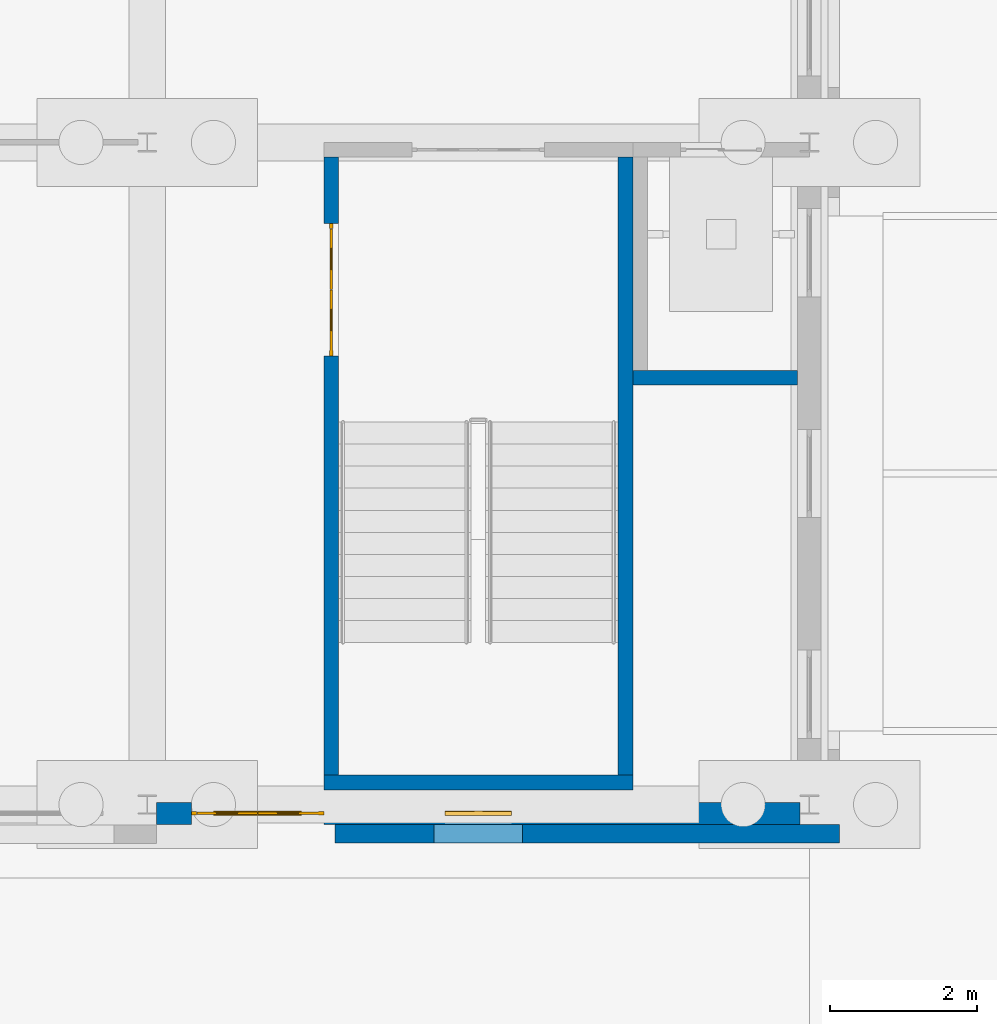
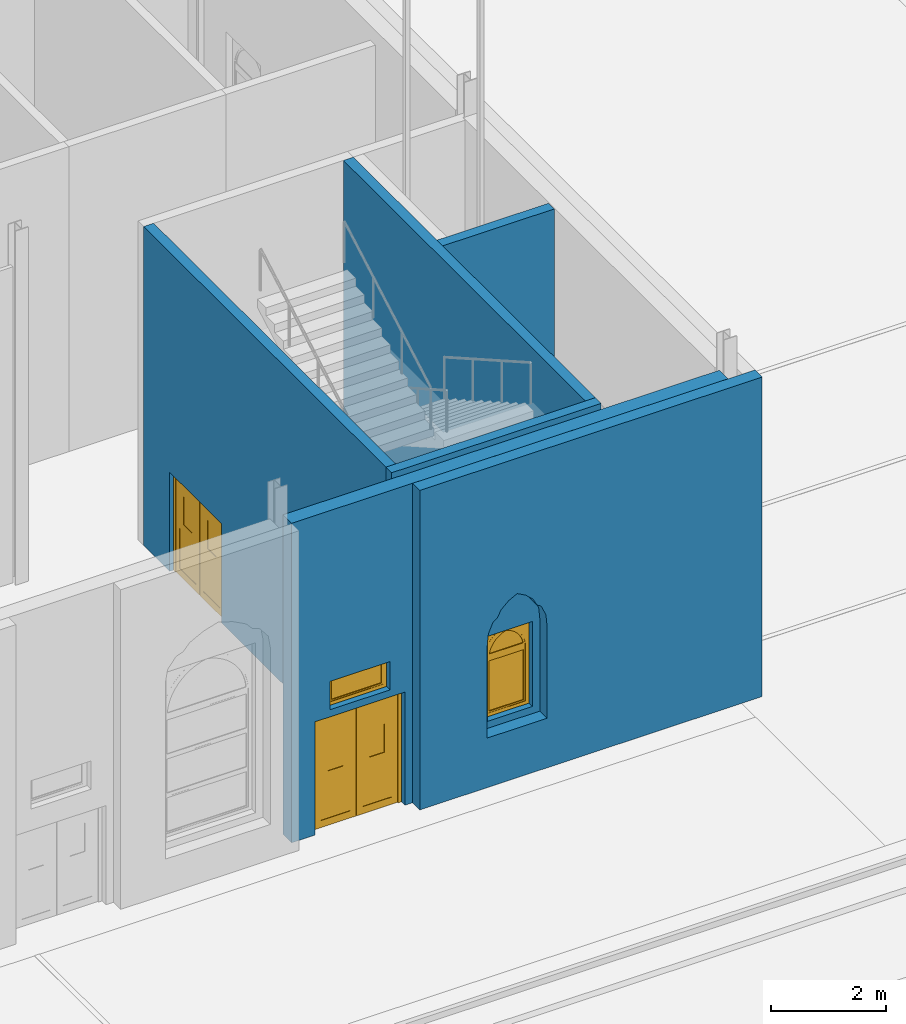
# One storey, part 115 of 250: 6 walls, 2 doors, 2 windows, 4 openings.
"""IFC4 building model written with IfcOpenShell, lengths in metres."""

from ifc_helpers import new_model, si_unit, direction, frame, frame_2d, origin, place, context, subcontext, project, spatial, polyline, rectangle, outline, extrude, material, layer, layer_set, type_object, element, fill, save


model = new_model("IFC4")

# Units and contexts
model_context = context("Model", 3, precision=1e-05, world=origin(), true_north=direction((0.0, 1.0)))
body_context = subcontext(model_context, "Body", "Model", "MODEL_VIEW")
ifc_project = project(units=[si_unit("LENGTHUNIT", "METRE"), si_unit("AREAUNIT", "SQUARE_METRE"), si_unit("VOLUMEUNIT", "CUBIC_METRE"), si_unit("PLANEANGLEUNIT", "RADIAN"), si_unit("MASSUNIT", "GRAM", prefix="KILO")], contexts=[model_context])

# Site, building, storey
site_placement = place(None, origin())
site = spatial("IfcSite", under=ifc_project, at=site_placement, CompositionType="ELEMENT")
building_placement = place(site_placement, origin())
building = spatial("IfcBuilding", under=site, at=building_placement, Name="Baradari Gate Terminus", CompositionType="ELEMENT")
storey_placement = place(building_placement, origin())
storey = spatial("IfcBuildingStorey", under=building, at=storey_placement, Name="L00", CompositionType="ELEMENT", Elevation=0.0)

# Walls
ifc_material_1 = material(Name="Laterite masonry", Category="masonry")
ifc_layer_1 = layer(ifc_material_1, 0.25)
ifc_layer_set_1 = layer_set([ifc_layer_1], Name="Laterite masonry")
wall_type_1 = type_object("IfcWallType", Name="Laterite masonry wall WP-1 250", PredefinedType="SOLIDWALL", material=ifc_layer_set_1)
wall_1_placement = place(storey_placement, frame((146.550048828125, 8.60498046875, 0.0), z_axis=(0.0, 0.0, 1.0), x_axis=(1.0, 0.0, 0.0)))
element("IfcWall", 1, at=wall_1_placement, inside=storey, type_object=wall_type_1, Name="Front course SS 4b 1", PredefinedType="SOLIDWALL", context=body_context, shape_type="SweptSolid", body=[
    extrude(outline(polyline([(0.0, 0.0), (6.860107421875, 0.0), (6.860107421875, 6.767333984375), (0.0, 6.767333984375), (0.0, 0.0)]), holes=[polyline([(1.35009765625, 1.050048828125), (1.35009765625, 3.0), (1.3740234375, 3.251953125), (1.469970703125, 3.468017578125), (1.553955078125, 3.52197265625), (1.6259765625, 3.666015625), (1.781982421875, 3.81005859375), (1.949951171875, 3.89990234375), (2.117919921875, 3.81005859375), (2.27392578125, 3.666015625), (2.345947265625, 3.52197265625), (2.429931640625, 3.468017578125), (2.52587890625, 3.251953125), (2.550048828125, 3.0), (2.550048828125, 1.050048828125), (1.35009765625, 1.050048828125)])]), frame((0.0, 0.125, 0.0), z_axis=(0.0, -1.0, 0.0), x_axis=(1.0, 0.0, 0.0)), (0.0, 0.0, 1.0), 0.25),
])
ifc_material_2 = material(Name="Blockwork wall, fire rated", Category="masonry")
ifc_layer_2 = layer(ifc_material_2, 0.199951171875)
ifc_layer_set_2 = layer_set([ifc_layer_2], Name="Blockwork wall, fire rated")
wall_type_2 = type_object("IfcWallType", Name="Lift shaft wall SH-1 200 EI 120", PredefinedType="SOLIDWALL", material=ifc_layer_set_2)
wall_2_placement = place(storey_placement, frame((150.60205078125, 14.800048828125, -1.60009765625), z_axis=(0.0, 0.0, 1.0), x_axis=(1.0, 0.0, 0.0)))
element("IfcWall", 2, at=wall_2_placement, inside=storey, type_object=wall_type_2, Name="Lift shaft wall LSW2 L00 S", PredefinedType="SOLIDWALL", context=body_context, shape_type="SweptSolid", body=[
    extrude(rectangle(XDim=2.23583984375, YDim=0.199951171875, at=frame_2d((1.117919921875, 0.0))), origin(), (0.0, 0.0, 1.0), 8.357177734375),
])

# Wall, openings, windows, door
ifc_material_3 = material(Name="Concrete C32/40", Category="concrete")
ifc_layer_3 = layer(ifc_material_3, 0.2)
ifc_material_4 = material(Name="Sandstone cladding", Category="masonry")
ifc_layer_4 = layer(ifc_material_4, 0.1)
ifc_layer_set_3 = layer_set([ifc_layer_3, ifc_layer_4], Name="Concrete C32/40")
wall_type_3 = type_object("IfcWallType", Name="Stair enclosure cladding wall WS-2 300", PredefinedType="SOLIDWALL", material=ifc_layer_set_3)
wall_3_placement = place(storey_placement, frame((144.127197265625, 8.880126953125, 0.0), z_axis=(0.0, 0.0, 1.0), x_axis=(1.0, 0.0, 0.0)))
wall_3 = element("IfcWall", 3, at=wall_3_placement, inside=storey, type_object=wall_type_3, Name="south front SS bay 17 L00", PredefinedType="SOLIDWALL", context=body_context, shape_type="SweptSolid", body=[
    extrude(rectangle(XDim=8.74560546875, YDim=0.300048828125, at=frame_2d((4.372802734375, 0.0))), origin(), (0.0, 0.0, 1.0), 6.767333984375),
])
opening_1_placement = place(wall_3_placement, frame((0.47265625, 0.0, 0.0)))
opening_1 = element("IfcOpeningElement", 4, at=opening_1_placement, cuts=wall_3, Name="Opening D00-052", PredefinedType="OPENING", context=body_context, shape_type="SweptSolid", body=[
    extrude(rectangle(XDim=1.800048828125, YDim=2.39990234375, at=frame_2d((0.89990234375, 1.199951171875))), frame((0.0, 0.159912109375, 0.0), z_axis=(0.0, -1.0, 0.0), x_axis=(1.0, 0.0, 0.0)), (0.0, 0.0, 1.0), 0.320068359375),
])
opening_2_placement = place(wall_3_placement, frame((0.772705078125, 0.0, 2.550048828125)))
opening_2 = element("IfcOpeningElement", 5, at=opening_2_placement, cuts=wall_3, Name="Opening W10", PredefinedType="OPENING", context=body_context, shape_type="SweptSolid", body=[
    extrude(rectangle(XDim=1.199951171875, YDim=0.60009765625, at=frame_2d((0.60009765625, 0.300048828125))), frame((0.0, 0.159912109375, 0.0), z_axis=(0.0, -1.0, 0.0), x_axis=(1.0, 0.0, 0.0)), (0.0, 0.0, 1.0), 0.320068359375),
])
opening_3_placement = place(wall_3_placement, frame((3.922607421875, 0.0, 1.199951171875)))
opening_3 = element("IfcOpeningElement", 6, at=opening_3_placement, cuts=wall_3, Name="Opening W6", PredefinedType="OPENING", context=body_context, shape_type="SweptSolid", body=[
    extrude(rectangle(XDim=0.89990234375, YDim=1.800048828125, at=frame_2d((0.449951171875, 0.89990234375))), frame((0.0, 0.159912109375, 0.0), z_axis=(0.0, -1.0, 0.0), x_axis=(1.0, 0.0, 0.0)), (0.0, 0.0, 1.0), 0.320068359375),
])
ifc_material_5 = material(Name="Aluminium 6063-T6", Category="aluminium")
window_type_1 = type_object("IfcWindowType", Name="Door fanlight W10 1200x600", PartitioningType="SINGLE_PANEL", PredefinedType="WINDOW", material=ifc_material_5)
window_1_placement = place(opening_2_placement, origin())
window_1 = element("IfcWindow", 7, at=window_1_placement, inside=storey, type_object=window_type_1, Name="Fanlight over Corridor (Stair Passage)", OverallHeight=0.6, OverallWidth=1.2, PartitioningType="SINGLE_PANEL", PredefinedType="WINDOW", context=body_context, shape_type="SweptSolid", body=[
    extrude(outline(polyline([(0.0, 0.0), (1.199951171875, 0.0), (1.199951171875, 0.60009765625), (0.0, 0.60009765625), (0.0, 0.0)]), holes=[polyline([(0.070068359375, 0.070068359375), (1.1298828125, 0.070068359375), (1.1298828125, 0.530029296875), (0.070068359375, 0.530029296875), (0.070068359375, 0.070068359375)])]), frame((0.0, 0.030029296875, 0.0), z_axis=(0.0, -1.0, 0.0), x_axis=(1.0, 0.0, 0.0)), (0.0, 0.0, 1.0), 0.06005859375),
    extrude(outline(polyline([(0.070068359375, 0.070068359375), (1.1298828125, 0.070068359375), (1.1298828125, 0.530029296875), (0.070068359375, 0.530029296875), (0.070068359375, 0.070068359375)]), holes=[polyline([(0.10009765625, 0.10009765625), (1.099853515625, 0.10009765625), (1.099853515625, 0.5), (0.10009765625, 0.5), (0.10009765625, 0.10009765625)])]), frame((0.0, 0.0224609375, 0.0), z_axis=(0.0, -1.0, 0.0), x_axis=(1.0, 0.0, 0.0)), (0.0, 0.0, 1.0), 0.044921875),
    extrude(rectangle(XDim=0.999755859375, YDim=0.39990234375, at=frame_2d((0.60009765625, 0.300048828125))), frame((0.0, 0.006103515625, 0.0), z_axis=(0.0, -1.0, 0.0), x_axis=(1.0, 0.0, 0.0)), (0.0, 0.0, 1.0), 0.01220703125),
])
fill(opening_2, window_1)
ifc_material_6 = material(Name="Steel S235", Category="steel")
door_type_1 = type_object("IfcDoorType", Name="Stair exit door pair, steel DT-4 1800x2400", OperationType="DOUBLE_DOOR_SINGLE_SWING", PredefinedType="DOOR", material=ifc_material_6)
door_1_placement = place(opening_1_placement, frame((1.800048828125, 0.0, 0.0), z_axis=(0.0, 0.0, 1.0), x_axis=(-1.0, 0.0, 0.0)))
door_1 = element("IfcDoor", 8, at=door_1_placement, inside=storey, type_object=door_type_1, Name="Exit door Corridor (Stair Passage)", OperationType="DOUBLE_DOOR_SINGLE_SWING", OverallHeight=2.4, OverallWidth=1.8, PredefinedType="DOOR", context=body_context, shape_type="SweptSolid", body=[
    extrude(outline(polyline([(0.0, 0.0), (0.070068359375, 0.0), (0.070068359375, 2.329833984375), (1.72998046875, 2.329833984375), (1.72998046875, 0.0), (1.800048828125, 0.0), (1.800048828125, 2.39990234375), (0.0, 2.39990234375), (0.0, 0.0)])), frame((0.0, 0.02490234375, 0.0), z_axis=(0.0, -1.0, 0.0), x_axis=(1.0, 0.0, 0.0)), (0.0, 0.0, 1.0), 0.050048828125),
    extrude(outline(polyline([(0.073974609375, 0.010009765625), (0.89697265625, 0.010009765625), (0.89697265625, 2.325927734375), (0.073974609375, 2.325927734375), (0.073974609375, 0.010009765625)]), holes=[polyline([(0.194091796875, 0.159912109375), (0.77685546875, 0.159912109375), (0.77685546875, 1.010009765625), (0.194091796875, 1.010009765625), (0.194091796875, 0.159912109375)]), polyline([(0.33544921875, 1.159912109375), (0.635498046875, 1.159912109375), (0.635498046875, 1.760009765625), (0.33544921875, 1.760009765625), (0.33544921875, 1.159912109375)])]), frame((0.0, 0.017333984375, 0.0), z_axis=(0.0, -1.0, 0.0), x_axis=(1.0, 0.0, 0.0)), (0.0, 0.0, 1.0), 0.034912109375),
    extrude(rectangle(XDim=0.582763671875, YDim=0.85009765625, at=frame_2d((0.4853515625, 0.5849609375))), frame((0.0, 0.008544921875, 0.0), z_axis=(0.0, -1.0, 0.0), x_axis=(1.0, 0.0, 0.0)), (0.0, 0.0, 1.0), 0.017333984375),
    extrude(rectangle(XDim=0.300048828125, YDim=0.60009765625, at=frame_2d((0.4853515625, 1.4599609375))), frame((0.0, 0.005859375, 0.0), z_axis=(0.0, -1.0, 0.0), x_axis=(1.0, 0.0, 0.0)), (0.0, 0.0, 1.0), 0.011962890625),
    extrude(outline(polyline([(0.903076171875, 0.010009765625), (1.72607421875, 0.010009765625), (1.72607421875, 2.325927734375), (0.903076171875, 2.325927734375), (0.903076171875, 0.010009765625)]), holes=[polyline([(1.023193359375, 0.159912109375), (1.60595703125, 0.159912109375), (1.60595703125, 1.010009765625), (1.023193359375, 1.010009765625), (1.023193359375, 0.159912109375)]), polyline([(1.16455078125, 1.159912109375), (1.464599609375, 1.159912109375), (1.464599609375, 1.760009765625), (1.16455078125, 1.760009765625), (1.16455078125, 1.159912109375)])]), frame((0.0, 0.017333984375, 0.0), z_axis=(0.0, -1.0, 0.0), x_axis=(1.0, 0.0, 0.0)), (0.0, 0.0, 1.0), 0.034912109375),
    extrude(rectangle(XDim=0.582763671875, YDim=0.85009765625, at=frame_2d((1.314453125, 0.5849609375))), frame((0.0, 0.008544921875, 0.0), z_axis=(0.0, -1.0, 0.0), x_axis=(1.0, 0.0, 0.0)), (0.0, 0.0, 1.0), 0.017333984375),
    extrude(rectangle(XDim=0.300048828125, YDim=0.60009765625, at=frame_2d((1.314453125, 1.4599609375))), frame((0.0, 0.005859375, 0.0), z_axis=(0.0, -1.0, 0.0), x_axis=(1.0, 0.0, 0.0)), (0.0, 0.0, 1.0), 0.011962890625),
])
fill(opening_1, door_1)
ifc_material_7 = material(Name="Aluminium 6063-T6", Category="aluminium")
window_type_2 = type_object("IfcWindowType", Name="Stair light W6 900x1800", PartitioningType="SINGLE_PANEL", PredefinedType="WINDOW", material=ifc_material_7)
window_2_placement = place(opening_3_placement, origin())
window_2 = element("IfcWindow", 9, at=window_2_placement, inside=storey, type_object=window_type_2, Name="Window W6 SS/16", OverallHeight=1.8, OverallWidth=0.9, PartitioningType="SINGLE_PANEL", PredefinedType="WINDOW", context=body_context, shape_type="SweptSolid", body=[
    extrude(outline(polyline([(0.0, 0.0), (0.89990234375, 0.0), (0.89990234375, 1.23486328125), (0.896240234375, 1.2998046875), (0.885498046875, 1.36376953125), (0.867431640625, 1.42626953125), (0.842529296875, 1.486083984375), (0.811279296875, 1.54296875), (0.773681640625, 1.59619140625), (0.73046875, 1.64453125), (0.68212890625, 1.68798828125), (0.629150390625, 1.7255859375), (0.572265625, 1.757080078125), (0.512451171875, 1.781982421875), (0.449951171875, 1.800048828125), (0.387451171875, 1.781982421875), (0.32763671875, 1.757080078125), (0.270751953125, 1.7255859375), (0.2177734375, 1.68798828125), (0.16943359375, 1.64453125), (0.126220703125, 1.59619140625), (0.088623046875, 1.54296875), (0.057373046875, 1.486083984375), (0.032470703125, 1.42626953125), (0.014404296875, 1.36376953125), (0.003662109375, 1.2998046875), (0.0, 1.23486328125), (0.0, 0.0)]), holes=[polyline([(0.070068359375, 0.070068359375), (0.829833984375, 0.070068359375), (0.829833984375, 1.23486328125), (0.826904296875, 1.290771484375), (0.817626953125, 1.345703125), (0.802734375, 1.399658203125), (0.78173828125, 1.451416015625), (0.75537109375, 1.500732421875), (0.723876953125, 1.546875), (0.6875, 1.58935546875), (0.646728515625, 1.62744140625), (0.60205078125, 1.6611328125), (0.553955078125, 1.689453125), (0.503173828125, 1.712646484375), (0.449951171875, 1.72998046875), (0.396728515625, 1.712646484375), (0.345947265625, 1.689453125), (0.2978515625, 1.6611328125), (0.253173828125, 1.62744140625), (0.21240234375, 1.58935546875), (0.176025390625, 1.546875), (0.14453125, 1.500732421875), (0.1181640625, 1.451416015625), (0.09716796875, 1.399658203125), (0.082275390625, 1.345703125), (0.072998046875, 1.290771484375), (0.070068359375, 1.23486328125), (0.070068359375, 0.070068359375)])]), frame((0.0, 0.030029296875, 0.0), z_axis=(0.0, -1.0, 0.0), x_axis=(1.0, 0.0, 0.0)), (0.0, 0.0, 1.0), 0.06005859375),
    extrude(outline(polyline([(0.0, 1.23486328125), (0.003662109375, 1.2998046875), (0.014404296875, 1.36376953125), (0.032470703125, 1.42626953125), (0.057373046875, 1.486083984375), (0.088623046875, 1.54296875), (0.126220703125, 1.59619140625), (0.16943359375, 1.64453125), (0.2177734375, 1.68798828125), (0.270751953125, 1.7255859375), (0.32763671875, 1.757080078125), (0.387451171875, 1.781982421875), (0.449951171875, 1.800048828125), (0.0, 1.800048828125), (0.0, 1.23486328125)])), frame((0.0, 0.028076171875, 0.0), z_axis=(0.0, -1.0, 0.0), x_axis=(1.0, 0.0, 0.0)), (0.0, 0.0, 1.0), 0.05615234375),
    extrude(outline(polyline([(0.449951171875, 1.800048828125), (0.512451171875, 1.781982421875), (0.572265625, 1.757080078125), (0.629150390625, 1.7255859375), (0.68212890625, 1.68798828125), (0.73046875, 1.64453125), (0.773681640625, 1.59619140625), (0.811279296875, 1.54296875), (0.842529296875, 1.486083984375), (0.867431640625, 1.42626953125), (0.885498046875, 1.36376953125), (0.896240234375, 1.2998046875), (0.89990234375, 1.23486328125), (0.89990234375, 1.800048828125), (0.449951171875, 1.800048828125)])), frame((0.0, 0.027099609375, 0.0), z_axis=(0.0, -1.0, 0.0), x_axis=(1.0, 0.0, 0.0)), (0.0, 0.0, 1.0), 0.05419921875),
    extrude(outline(polyline([(0.82763671875, 1.27490234375), (0.072265625, 1.27490234375), (0.070068359375, 1.23486328125), (0.070068359375, 1.19482421875), (0.829833984375, 1.19482421875), (0.829833984375, 1.23486328125), (0.82763671875, 1.27490234375)])), frame((0.0, 0.02099609375, 0.0), z_axis=(0.0, -1.0, 0.0), x_axis=(1.0, 0.0, 0.0)), (0.0, 0.0, 1.0), 0.0419921875),
    extrude(outline(polyline([(0.070068359375, 0.070068359375), (0.829833984375, 0.070068359375), (0.829833984375, 1.19482421875), (0.070068359375, 1.19482421875), (0.070068359375, 0.070068359375)]), holes=[polyline([(0.10009765625, 0.10009765625), (0.7998046875, 0.10009765625), (0.7998046875, 1.164794921875), (0.10009765625, 1.164794921875), (0.10009765625, 0.10009765625)])]), frame((0.0, 0.0224609375, 0.0), z_axis=(0.0, -1.0, 0.0), x_axis=(1.0, 0.0, 0.0)), (0.0, 0.0, 1.0), 0.044921875),
    extrude(rectangle(XDim=0.69970703125, YDim=1.064697265625, at=frame_2d((0.449951171875, 0.63232421875))), frame((0.0, 0.006103515625, 0.0), z_axis=(0.0, -1.0, 0.0), x_axis=(1.0, 0.0, 0.0)), (0.0, 0.0, 1.0), 0.01220703125),
    extrude(outline(polyline([(0.072265625, 1.27490234375), (0.82763671875, 1.27490234375), (0.826904296875, 1.290771484375), (0.817626953125, 1.345703125), (0.802734375, 1.399658203125), (0.78173828125, 1.451416015625), (0.75537109375, 1.500732421875), (0.723876953125, 1.546875), (0.6875, 1.58935546875), (0.646728515625, 1.62744140625), (0.60205078125, 1.6611328125), (0.553955078125, 1.689453125), (0.503173828125, 1.712646484375), (0.449951171875, 1.72998046875), (0.396728515625, 1.712646484375), (0.345947265625, 1.689453125), (0.2978515625, 1.6611328125), (0.253173828125, 1.62744140625), (0.21240234375, 1.58935546875), (0.176025390625, 1.546875), (0.14453125, 1.500732421875), (0.1181640625, 1.451416015625), (0.09716796875, 1.399658203125), (0.082275390625, 1.345703125), (0.072998046875, 1.290771484375), (0.072265625, 1.27490234375)]), holes=[polyline([(0.11181640625, 1.309814453125), (0.116455078125, 1.338134765625), (0.13037109375, 1.388427734375), (0.14990234375, 1.4365234375), (0.174560546875, 1.482666015625), (0.203857421875, 1.525634765625), (0.23779296875, 1.565185546875), (0.275634765625, 1.6005859375), (0.3173828125, 1.632080078125), (0.362060546875, 1.658447265625), (0.409423828125, 1.679931640625), (0.449951171875, 1.693115234375), (0.490478515625, 1.679931640625), (0.537841796875, 1.658447265625), (0.58251953125, 1.632080078125), (0.624267578125, 1.6005859375), (0.662109375, 1.565185546875), (0.696044921875, 1.525634765625), (0.725341796875, 1.482666015625), (0.75, 1.4365234375), (0.76953125, 1.388427734375), (0.783447265625, 1.338134765625), (0.7880859375, 1.309814453125), (0.11181640625, 1.309814453125)])]), frame((0.0, 0.0224609375, 0.0), z_axis=(0.0, -1.0, 0.0), x_axis=(1.0, 0.0, 0.0)), (0.0, 0.0, 1.0), 0.044921875),
    extrude(outline(polyline([(0.7880859375, 1.309814453125), (0.783447265625, 1.338134765625), (0.76953125, 1.388427734375), (0.75, 1.4365234375), (0.725341796875, 1.482666015625), (0.696044921875, 1.525634765625), (0.662109375, 1.565185546875), (0.624267578125, 1.6005859375), (0.58251953125, 1.632080078125), (0.537841796875, 1.658447265625), (0.490478515625, 1.679931640625), (0.449951171875, 1.693115234375), (0.409423828125, 1.679931640625), (0.362060546875, 1.658447265625), (0.3173828125, 1.632080078125), (0.275634765625, 1.6005859375), (0.23779296875, 1.565185546875), (0.203857421875, 1.525634765625), (0.174560546875, 1.482666015625), (0.14990234375, 1.4365234375), (0.13037109375, 1.388427734375), (0.116455078125, 1.338134765625), (0.11181640625, 1.309814453125), (0.7880859375, 1.309814453125)])), frame((0.0, 0.006103515625, 0.0), z_axis=(0.0, -1.0, 0.0), x_axis=(1.0, 0.0, 0.0)), (0.0, 0.0, 1.0), 0.01220703125),
])
fill(opening_3, window_2)

# Wall
ifc_material_8 = material(Name="Concrete C40/50", Category="concrete")
ifc_layer_5 = layer(ifc_material_8, 0.199951171875)
ifc_layer_set_4 = layer_set([ifc_layer_5], Name="Concrete C40/50")
wall_type_4 = type_object("IfcWallType", Name="Stair enclosure wall SE-5 200 EI 120", PredefinedType="SOLIDWALL", material=ifc_layer_set_4)
wall_4_placement = place(storey_placement, frame((146.39990234375, 9.300048828125, 0.0), z_axis=(0.0, 0.0, 1.0), x_axis=(1.0, 0.0, 0.0)))
element("IfcWall", 10, at=wall_4_placement, inside=storey, type_object=wall_type_4, Name="Stair enclosure wall SE-5 ST-SW2 L00 S", PredefinedType="SOLIDWALL", context=body_context, shape_type="SweptSolid", body=[
    extrude(rectangle(XDim=4.2001953125, YDim=0.199951171875, at=frame_2d((2.10009765625, 0.0))), origin(), (0.0, 0.0, 1.0), 6.757080078125),
])

# Wall, opening, door
wall_5_placement = place(storey_placement, frame((146.5, 9.39990234375, 0.0), z_axis=(0.0, 0.0, 1.0), x_axis=(0.0, 1.0, 0.0)))
wall_5 = element("IfcWall", 11, at=wall_5_placement, inside=storey, type_object=wall_type_4, Name="Stair enclosure wall SE-5 ST-SW2 L00 W", PredefinedType="SOLIDWALL", context=body_context, shape_type="SweptSolid", body=[
    extrude(rectangle(XDim=8.400146484375, YDim=0.199951171875, at=frame_2d((4.2001953125, 0.0))), origin(), (0.0, 0.0, 1.0), 6.757080078125),
])
opening_4_placement = place(wall_5_placement, frame((5.699951171875, 0.0, 0.0)))
opening_4 = element("IfcOpeningElement", 12, at=opening_4_placement, cuts=wall_5, Name="Opening D00-150", PredefinedType="OPENING", context=body_context, shape_type="SweptSolid", body=[
    extrude(rectangle(XDim=1.800048828125, YDim=2.10009765625, at=frame_2d((0.89990234375, 1.050048828125))), frame((0.0, 0.10986328125, 0.0), z_axis=(0.0, -1.0, 0.0), x_axis=(1.0, 0.0, 0.0)), (0.0, 0.0, 1.0), 0.219970703125),
])
ifc_material_9 = material(Name="Steel S275", Category="steel")
door_type_2 = type_object("IfcDoorType", Name="Fire door FI-1800-FD90S 1800x2100 FD90S", OperationType="DOUBLE_DOOR_SINGLE_SWING", PredefinedType="DOOR", material=ifc_material_9)
door_2_placement = place(opening_4_placement, frame((1.800048828125, 0.0, 0.0), z_axis=(0.0, 0.0, 1.0), x_axis=(-1.0, 0.0, 0.0)))
door_2 = element("IfcDoor", 13, at=door_2_placement, inside=storey, type_object=door_type_2, Name="Door Stair (South Wing) 2", OperationType="DOUBLE_DOOR_SINGLE_SWING", OverallHeight=2.1, OverallWidth=1.8, PredefinedType="DOOR", context=body_context, shape_type="SweptSolid", body=[
    extrude(outline(polyline([(0.0, 0.0), (0.070068359375, 0.0), (0.070068359375, 2.030029296875), (1.72998046875, 2.030029296875), (1.72998046875, 0.0), (1.800048828125, 0.0), (1.800048828125, 2.10009765625), (0.0, 2.10009765625), (0.0, 0.0)])), frame((0.0, 0.02490234375, 0.0), z_axis=(0.0, -1.0, 0.0), x_axis=(1.0, 0.0, 0.0)), (0.0, 0.0, 1.0), 0.050048828125),
    extrude(outline(polyline([(0.073974609375, 0.010009765625), (0.89697265625, 0.010009765625), (0.89697265625, 2.026123046875), (0.073974609375, 2.026123046875), (0.073974609375, 0.010009765625)]), holes=[polyline([(0.194091796875, 0.159912109375), (0.77685546875, 0.159912109375), (0.77685546875, 1.010009765625), (0.194091796875, 1.010009765625), (0.194091796875, 0.159912109375)]), polyline([(0.33544921875, 1.159912109375), (0.635498046875, 1.159912109375), (0.635498046875, 1.760009765625), (0.33544921875, 1.760009765625), (0.33544921875, 1.159912109375)])]), frame((0.0, 0.017333984375, 0.0), z_axis=(0.0, -1.0, 0.0), x_axis=(1.0, 0.0, 0.0)), (0.0, 0.0, 1.0), 0.034912109375),
    extrude(rectangle(XDim=0.582763671875, YDim=0.85009765625, at=frame_2d((0.4853515625, 0.5849609375))), frame((0.0, 0.008544921875, 0.0), z_axis=(0.0, -1.0, 0.0), x_axis=(1.0, 0.0, 0.0)), (0.0, 0.0, 1.0), 0.017333984375),
    extrude(rectangle(XDim=0.300048828125, YDim=0.60009765625, at=frame_2d((0.4853515625, 1.4599609375))), frame((0.0, 0.005859375, 0.0), z_axis=(0.0, -1.0, 0.0), x_axis=(1.0, 0.0, 0.0)), (0.0, 0.0, 1.0), 0.011962890625),
    extrude(outline(polyline([(0.903076171875, 0.010009765625), (1.72607421875, 0.010009765625), (1.72607421875, 2.026123046875), (0.903076171875, 2.026123046875), (0.903076171875, 0.010009765625)]), holes=[polyline([(1.023193359375, 0.159912109375), (1.60595703125, 0.159912109375), (1.60595703125, 1.010009765625), (1.023193359375, 1.010009765625), (1.023193359375, 0.159912109375)]), polyline([(1.16455078125, 1.159912109375), (1.464599609375, 1.159912109375), (1.464599609375, 1.760009765625), (1.16455078125, 1.760009765625), (1.16455078125, 1.159912109375)])]), frame((0.0, 0.017333984375, 0.0), z_axis=(0.0, -1.0, 0.0), x_axis=(1.0, 0.0, 0.0)), (0.0, 0.0, 1.0), 0.034912109375),
    extrude(rectangle(XDim=0.582763671875, YDim=0.85009765625, at=frame_2d((1.314453125, 0.5849609375))), frame((0.0, 0.008544921875, 0.0), z_axis=(0.0, -1.0, 0.0), x_axis=(1.0, 0.0, 0.0)), (0.0, 0.0, 1.0), 0.017333984375),
    extrude(rectangle(XDim=0.300048828125, YDim=0.60009765625, at=frame_2d((1.314453125, 1.4599609375))), frame((0.0, 0.005859375, 0.0), z_axis=(0.0, -1.0, 0.0), x_axis=(1.0, 0.0, 0.0)), (0.0, 0.0, 1.0), 0.011962890625),
])
fill(opening_4, door_2)

# Wall
wall_6_placement = place(storey_placement, frame((150.5, 9.39990234375, 0.0), z_axis=(0.0, 0.0, 1.0), x_axis=(0.0, 1.0, 0.0)))
element("IfcWall", 14, at=wall_6_placement, inside=storey, type_object=wall_type_4, Name="Stair enclosure wall SE-5 ST-SW2 L00 E", PredefinedType="SOLIDWALL", context=body_context, shape_type="SweptSolid", body=[
    extrude(rectangle(XDim=8.400146484375, YDim=0.199951171875, at=frame_2d((4.2001953125, 0.0))), origin(), (0.0, 0.0, 1.0), 6.757080078125),
])

save(model, "model.ifc")
